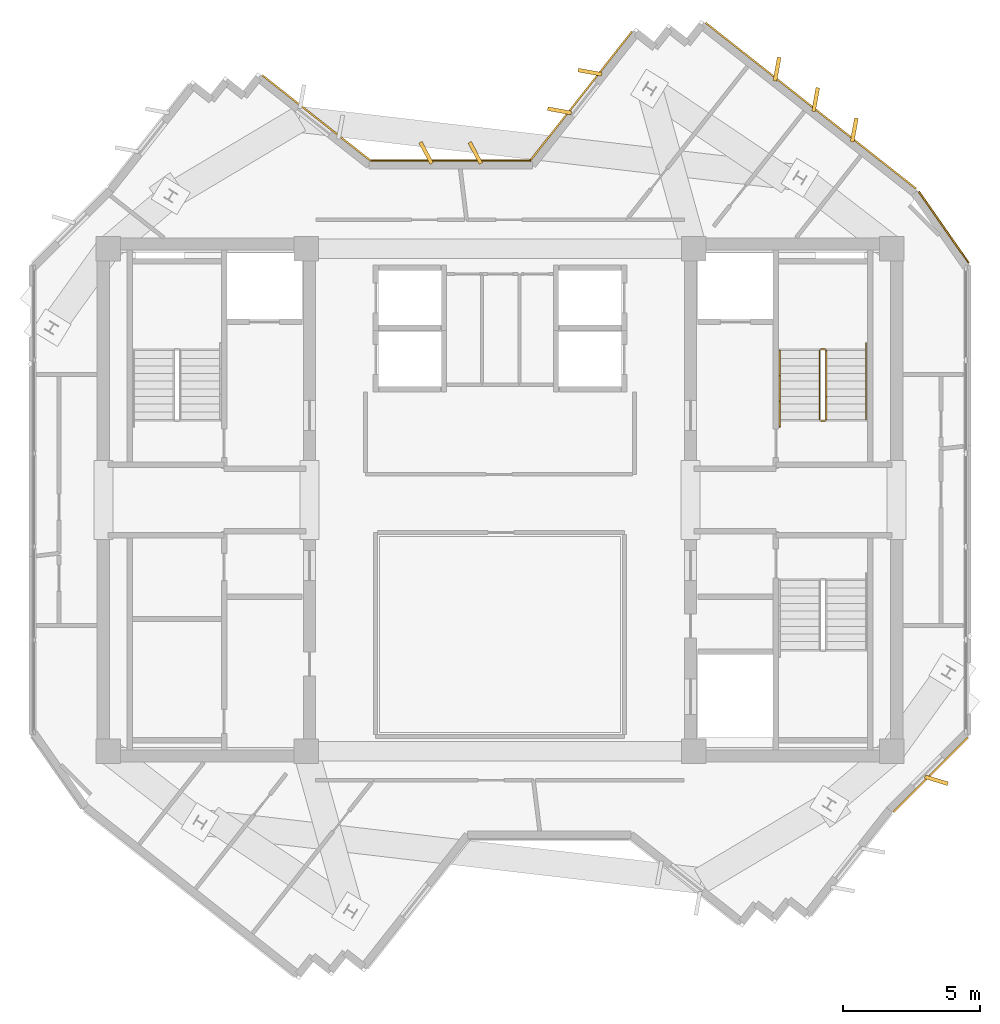
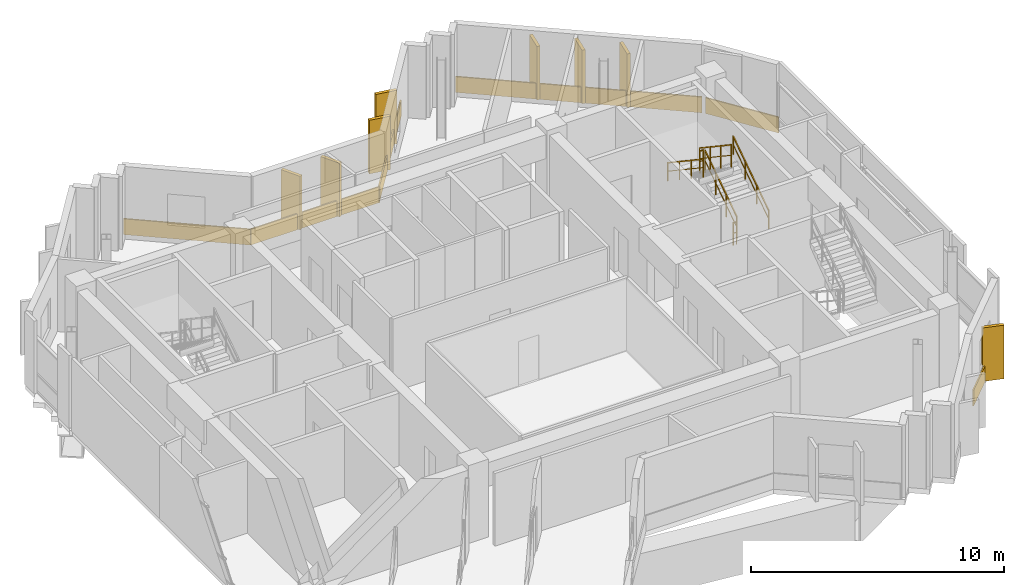
# One storey, part 10 of 10: 14 coverings, 6 railings.
"""IFC4 building model written with IfcOpenShell, lengths in metres."""

from ifc_helpers import new_model, si_unit, direction, frame, origin, origin_2d, place, context, subcontext, project, spatial, rectangle, extrude, source, transform, mapped, material, layer, layer_set, type_object, element, save


model = new_model("IFC4")

# Units and contexts
model_context = context("Model", 3, precision=1e-05, world=origin(), true_north=direction((0.0, 1.0)))
body_context = subcontext(model_context, "Body", "Model", "MODEL_VIEW")
ifc_project = project(units=[si_unit("LENGTHUNIT", "METRE"), si_unit("AREAUNIT", "SQUARE_METRE"), si_unit("VOLUMEUNIT", "CUBIC_METRE"), si_unit("PLANEANGLEUNIT", "RADIAN"), si_unit("MASSUNIT", "GRAM", prefix="KILO")], contexts=[model_context])

# Site, building, storey
site_placement = place(None, origin())
site = spatial("IfcSite", under=ifc_project, at=site_placement, CompositionType="ELEMENT")
building_placement = place(site_placement, origin())
building = spatial("IfcBuilding", under=site, at=building_placement, Name="Zahravan Cultural Tower", CompositionType="ELEMENT")
storey_placement = place(building_placement, frame((0.0, 0.0, 319.800048828125)))
storey = spatial("IfcBuildingStorey", under=building, at=storey_placement, Name="L77", CompositionType="ELEMENT", Elevation=319.800048828125)

# Railings
ifc_material_1 = material(Name="Steel ASTM A572 Grade 50", Category="steel")
railing_type_1 = type_object("IfcRailingType", Name="RL-STAIR-GRD1150", PredefinedType="BALUSTRADE", material=ifc_material_1)
railing_1_placement = place(storey_placement, frame((47.949951171875, 29.949951171875, 0.1875)))
element("IfcRailing", 1, at=railing_1_placement, inside=storey, type_object=railing_type_1, Name="L77 ST-E1 stair guard 1", PredefinedType="BALUSTRADE", context=body_context, shape_type="SweptSolid", body=[
    extrude(rectangle(XDim=0.05, YDim=0.05, at=origin_2d()), frame((0.0, 0.0, 1.0751953125), z_axis=(0.0, 0.830909170722, 0.55640807867), x_axis=(-1.0, 0.0, 0.0)), (0.0, 0.0, 1.0), 3.032958984375),
    extrude(rectangle(XDim=0.032, YDim=0.032, at=origin_2d()), frame((0.0, 0.0, 0.572021484375), z_axis=(0.0, 0.830909170722, 0.55640807867), x_axis=(-1.0, 0.0, 0.0)), (0.0, 0.0, 1.0), 3.032958984375),
    extrude(rectangle(XDim=0.04, YDim=0.04, at=origin_2d()), origin(), (0.0, 0.0, 1.0), 1.10009765625),
    extrude(rectangle(XDim=0.04, YDim=0.04, at=origin_2d()), frame((0.0, 0.840087890625, 0.5625)), (0.0, 0.0, 1.0), 1.10009765625),
    extrude(rectangle(XDim=0.04, YDim=0.04, at=origin_2d()), frame((0.0, 1.679931640625, 1.125)), (0.0, 0.0, 1.0), 1.10009765625),
    extrude(rectangle(XDim=0.04, YDim=0.04, at=origin_2d()), frame((0.0, 2.52001953125, 1.6875)), (0.0, 0.0, 1.0), 1.10009765625),
])
railing_2_placement = place(storey_placement, frame((47.89990234375, 32.52001953125, 1.875)))
element("IfcRailing", 2, at=railing_2_placement, inside=storey, type_object=railing_type_1, Name="L77 ST-E1 stair guard 2", PredefinedType="BALUSTRADE", context=body_context, shape_type="SweptSolid", body=[
    extrude(rectangle(XDim=0.05, YDim=0.05, at=origin_2d()), frame((0.0, 0.0, 1.0751953125), z_axis=(-1.0, 0.0, 0.0), x_axis=(0.0, -1.0, 0.0)), (0.0, 0.0, 1.0), 0.14990234375),
    extrude(rectangle(XDim=0.032, YDim=0.032, at=origin_2d()), frame((0.0, 0.0, 0.572021484375), z_axis=(-1.0, 0.0, 0.0), x_axis=(0.0, -1.0, 0.0)), (0.0, 0.0, 1.0), 0.14990234375),
    extrude(rectangle(XDim=0.04, YDim=0.04, at=origin_2d()), origin(), (0.0, 0.0, 1.0), 1.10009765625),
    extrude(rectangle(XDim=0.04, YDim=0.04, at=origin_2d()), frame((-0.14990234375, 0.0, 0.0)), (0.0, 0.0, 1.0), 1.10009765625),
])
railing_3_placement = place(storey_placement, frame((47.699951171875, 32.469970703125, 2.0625)))
element("IfcRailing", 3, at=railing_3_placement, inside=storey, type_object=railing_type_1, Name="L77 ST-E1 stair guard 3", PredefinedType="BALUSTRADE", context=body_context, shape_type="SweptSolid", body=[
    extrude(rectangle(XDim=0.05, YDim=0.05, at=origin_2d()), frame((0.0, 0.0, 1.0751953125), z_axis=(0.0, -0.830909170722, 0.55640807867), x_axis=(1.0, 0.0, 0.0)), (0.0, 0.0, 1.0), 3.032958984375),
    extrude(rectangle(XDim=0.032, YDim=0.032, at=origin_2d()), frame((0.0, 0.0, 0.572021484375), z_axis=(0.0, -0.830909170722, 0.55640807867), x_axis=(1.0, 0.0, 0.0)), (0.0, 0.0, 1.0), 3.032958984375),
    extrude(rectangle(XDim=0.04, YDim=0.04, at=origin_2d()), origin(), (0.0, 0.0, 1.0), 1.10009765625),
    extrude(rectangle(XDim=0.04, YDim=0.04, at=origin_2d()), frame((0.0, -0.840087890625, 0.5625)), (0.0, 0.0, 1.0), 1.10009765625),
    extrude(rectangle(XDim=0.04, YDim=0.04, at=origin_2d()), frame((0.0, -1.679931640625, 1.125)), (0.0, 0.0, 1.0), 1.10009765625),
    extrude(rectangle(XDim=0.04, YDim=0.04, at=origin_2d()), frame((0.0, -2.52001953125, 1.6875)), (0.0, 0.0, 1.0), 1.10009765625),
])
railing_4_placement = place(storey_placement, frame((47.89990234375, 29.89990234375, 0.0)))
element("IfcRailing", 4, at=railing_4_placement, inside=storey, type_object=railing_type_1, Name="L77 ST-E1 stair guard 4", PredefinedType="BALUSTRADE", context=body_context, shape_type="SweptSolid", body=[
    extrude(rectangle(XDim=0.05, YDim=0.05, at=origin_2d()), frame((0.0, 0.0, 1.0751953125), z_axis=(-1.0, 0.0, 0.0), x_axis=(0.0, -1.0, 0.0)), (0.0, 0.0, 1.0), 0.14990234375),
    extrude(rectangle(XDim=0.032, YDim=0.032, at=origin_2d()), frame((0.0, 0.0, 0.572021484375), z_axis=(-1.0, 0.0, 0.0), x_axis=(0.0, -1.0, 0.0)), (0.0, 0.0, 1.0), 0.14990234375),
    extrude(rectangle(XDim=0.04, YDim=0.04, at=origin_2d()), origin(), (0.0, 0.0, 1.0), 1.10009765625),
    extrude(rectangle(XDim=0.04, YDim=0.04, at=origin_2d()), frame((-0.14990234375, 0.0, 0.0)), (0.0, 0.0, 1.0), 1.10009765625),
])
railing_type_2 = type_object("IfcRailingType", Name="RL-STAIR-HR900", PredefinedType="HANDRAIL", material=ifc_material_1)
railing_5_placement = place(storey_placement, frame((49.39990234375, 29.949951171875, 0.1875)))
element("IfcRailing", 5, at=railing_5_placement, inside=storey, type_object=railing_type_2, Name="L77 ST-E1 stair handrail 1", PredefinedType="HANDRAIL", context=body_context, shape_type="SweptSolid", body=[
    extrude(rectangle(XDim=0.05, YDim=0.05, at=origin_2d()), frame((0.0, 0.0, 0.875), z_axis=(0.0, 0.830911662861, 0.55640435703), x_axis=(-1.0, 0.0, 0.0)), (0.0, 0.0, 1.0), 3.369873046875),
    extrude(rectangle(XDim=0.032, YDim=0.032, at=origin_2d()), frame((0.0, 0.0, 0.468017578125), z_axis=(0.0, 0.830911662861, 0.55640435703), x_axis=(-1.0, 0.0, 0.0)), (0.0, 0.0, 1.0), 3.369873046875),
    extrude(rectangle(XDim=0.04, YDim=0.04, at=origin_2d()), origin(), (0.0, 0.0, 1.0), 0.89990234375),
    extrude(rectangle(XDim=0.04, YDim=0.04, at=origin_2d()), frame((0.0, 0.933349609375, 0.625)), (0.0, 0.0, 1.0), 0.89990234375),
    extrude(rectangle(XDim=0.04, YDim=0.04, at=origin_2d()), frame((0.0, 1.86669921875, 1.25)), (0.0, 0.0, 1.0), 0.89990234375),
    extrude(rectangle(XDim=0.04, YDim=0.04, at=origin_2d()), frame((0.0, 2.800048828125, 1.875)), (0.0, 0.0, 1.0), 0.89990234375),
])
railing_6_placement = place(storey_placement, frame((46.25, 32.469970703125, 2.0625)))
element("IfcRailing", 6, at=railing_6_placement, inside=storey, type_object=railing_type_2, Name="L77 ST-E1 stair handrail 2", PredefinedType="HANDRAIL", context=body_context, shape_type="SweptSolid", body=[
    extrude(rectangle(XDim=0.05, YDim=0.05, at=origin_2d()), frame((0.0, 0.0, 0.875), z_axis=(0.0, -0.830911662861, 0.55640435703), x_axis=(1.0, 0.0, 0.0)), (0.0, 0.0, 1.0), 3.369873046875),
    extrude(rectangle(XDim=0.032, YDim=0.032, at=origin_2d()), frame((0.0, 0.0, 0.468017578125), z_axis=(0.0, -0.830911662861, 0.55640435703), x_axis=(1.0, 0.0, 0.0)), (0.0, 0.0, 1.0), 3.369873046875),
    extrude(rectangle(XDim=0.04, YDim=0.04, at=origin_2d()), origin(), (0.0, 0.0, 1.0), 0.89990234375),
    extrude(rectangle(XDim=0.04, YDim=0.04, at=origin_2d()), frame((0.0, -0.933349609375, 0.625)), (0.0, 0.0, 1.0), 0.89990234375),
    extrude(rectangle(XDim=0.04, YDim=0.04, at=origin_2d()), frame((0.0, -1.86669921875, 1.25)), (0.0, 0.0, 1.0), 0.89990234375),
    extrude(rectangle(XDim=0.04, YDim=0.04, at=origin_2d()), frame((0.0, -2.800048828125, 1.875)), (0.0, 0.0, 1.0), 0.89990234375),
])

# Coverings
ifc_material_2 = material(Name="Terracotta ceramic cladding", Category="masonry")
ifc_layer = layer(ifc_material_2, 0.06005859375)
ifc_layer_set = layer_set([ifc_layer], Name="Terracotta ceramic cladding")
covering_type = type_object("IfcCoveringType", Name="COV-CLAD-TC60", PredefinedType="CLADDING", material=ifc_layer_set)
shared_shape_1 = source(origin(), body_context, "Body", "SweptSolid", [
    extrude(rectangle(XDim=9.820068359375, YDim=0.06005859375, at=origin_2d()), origin(), (0.0, 0.0, 1.0), 0.760009765625),
])
covering_1_placement = place(storey_placement, frame((47.382080078125, 41.43798828125, 0.02001953125), z_axis=(0.0, 0.0, 1.0), x_axis=(0.785316930881, -0.61909394931, 0.0)))
element("IfcCovering", 7, at=covering_1_placement, inside=storey, type_object=covering_type, Name="L77 Terracotta Spandrel Cladding 14", PredefinedType="CLADDING", context=body_context, shape_type="MappedRepresentation", body=[
    mapped(shared_shape_1, transform((0.0, 0.0, 0.0), x_axis=(1.0, 0.0, 0.0), y_axis=(0.0, 1.0, 0.0), z_axis=(0.0, 0.0, 1.0), scale=1.0)),
])
shared_shape_2 = source(origin(), body_context, "Body", "SweptSolid", [
    extrude(rectangle(XDim=0.8798828125, YDim=0.139892578125, at=origin_2d()), origin(), (0.0, 0.0, 1.0), 2.580078125),
])
for number, where, z_axis, x_axis, name in (
    (8, (33.295166015625, 39.7099609375, 0.0498046875), (0.0, 0.0, 1.0), (-0.469471562786, 0.882947592859, 0.0), "L77 Herringbone Terracotta Fin 06"),
    (9, (35.09521484375, 39.7099609375, 0.0498046875), (0.0, 0.0, 1.0), (-0.469471562786, 0.882947592859, 0.0), "L77 Herringbone Terracotta Fin 07"),
    (10, (38.180419921875, 41.25, 0.0498046875), (0.0, 0.0, 1.0), (-0.984040697646, 0.177943545474, 0.0), "L77 Herringbone Terracotta Fin 08"),
    (11, (39.294677734375, 42.663818359375, 0.0498046875), (0.0, 0.0, 1.0), (-0.984040697646, 0.177943545474, 0.0), "L77 Herringbone Terracotta Fin 09"),
    (12, (46.14501953125, 42.776123046875, 0.0498046875), (0.0, 0.0, 1.0), (0.177943545474, 0.984040697646, 0.0), "L77 Herringbone Terracotta Fin 10"),
    (13, (47.55859375, 41.661865234375, 0.0498046875), (0.0, 0.0, 1.0), (0.177943545474, 0.984040697646, 0.0), "L77 Herringbone Terracotta Fin 11"),
    (14, (48.97216796875, 40.547607421875, 0.0498046875), (0.0, 0.0, 1.0), (0.177943545474, 0.984040697646, 0.0), "L77 Herringbone Terracotta Fin 12"),
    (15, (51.976806640625, 16.738525390625, 0.0498046875), (0.0, 0.0, 1.0), (0.956304755963, -0.292371704723, 0.0), "L77 Herringbone Terracotta Fin 13"),
):
    element("IfcCovering", number, at=place(storey_placement, frame(where, z_axis=z_axis, x_axis=x_axis)), inside=storey, type_object=covering_type, Name=name, PredefinedType="CLADDING", context=body_context, shape_type="MappedRepresentation", body=[
        mapped(shared_shape_2, transform((0.0, 0.0, 0.0), x_axis=(1.0, 0.0, 0.0), y_axis=(0.0, 1.0, 0.0), z_axis=(0.0, 0.0, 1.0), scale=1.0)),
    ])
shared_shape_3 = source(origin(), body_context, "Body", "SweptSolid", [
    extrude(rectangle(XDim=3.86328125, YDim=0.06005859375, at=origin_2d()), origin(), (0.0, 0.0, 1.0), 0.760009765625),
])
covering_2_placement = place(storey_placement, frame((51.775390625, 16.940185546875, 0.02001953125), z_axis=(0.0, 0.0, 1.0), x_axis=(-0.707106781187, -0.707106781187, 0.0)))
element("IfcCovering", 16, at=covering_2_placement, inside=storey, type_object=covering_type, Name="L77 Terracotta Spandrel Cladding 16", PredefinedType="CLADDING", context=body_context, shape_type="MappedRepresentation", body=[
    mapped(shared_shape_3, transform((0.0, 0.0, 0.0), x_axis=(1.0, 0.0, 0.0), y_axis=(0.0, 1.0, 0.0), z_axis=(0.0, 0.0, 1.0), scale=1.0)),
])
shared_shape_4 = source(origin(), body_context, "Body", "SweptSolid", [
    extrude(rectangle(XDim=5.065185546875, YDim=0.06005859375, at=origin_2d()), origin(), (0.0, 0.0, 1.0), 0.760009765625),
])
covering_3_placement = place(storey_placement, frame((29.280029296875, 40.98828125, 0.02001953125), z_axis=(0.0, 0.0, 1.0), x_axis=(0.785316930881, -0.61909394931, 0.0)))
element("IfcCovering", 17, at=covering_3_placement, inside=storey, type_object=covering_type, Name="L77 Terracotta Spandrel Cladding 07", PredefinedType="CLADDING", context=body_context, shape_type="MappedRepresentation", body=[
    mapped(shared_shape_4, transform((0.0, 0.0, 0.0), x_axis=(1.0, 0.0, 0.0), y_axis=(0.0, 1.0, 0.0), z_axis=(0.0, 0.0, 1.0), scale=1.0)),
])
shared_shape_5 = source(origin(), body_context, "Body", "SweptSolid", [
    extrude(rectangle(XDim=5.87841796875, YDim=0.06005859375, at=origin_2d()), origin(), (0.0, 0.0, 1.0), 0.760009765625),
])
covering_4_placement = place(storey_placement, frame((34.1953125, 39.425048828125, 0.02001953125), z_axis=(0.0, 0.0, 1.0), x_axis=(1.0, 0.0, 0.0)))
element("IfcCovering", 18, at=covering_4_placement, inside=storey, type_object=covering_type, Name="L77 Terracotta Spandrel Cladding 08", PredefinedType="CLADDING", context=body_context, shape_type="MappedRepresentation", body=[
    mapped(shared_shape_5, transform((0.0, 0.0, 0.0), x_axis=(1.0, 0.0, 0.0), y_axis=(0.0, 1.0, 0.0), z_axis=(0.0, 0.0, 1.0), scale=1.0)),
])
shared_shape_6 = source(origin(), body_context, "Body", "SweptSolid", [
    extrude(rectangle(XDim=6.058837890625, YDim=0.06005859375, at=origin_2d()), origin(), (0.0, 0.0, 1.0), 0.760009765625),
])
covering_5_placement = place(storey_placement, frame((38.961181640625, 41.780517578125, 0.02001953125), z_axis=(0.0, 0.0, 1.0), x_axis=(0.61909394931, 0.785316930881, 0.0)))
element("IfcCovering", 19, at=covering_5_placement, inside=storey, type_object=covering_type, Name="L77 Terracotta Spandrel Cladding 09", PredefinedType="CLADDING", context=body_context, shape_type="MappedRepresentation", body=[
    mapped(shared_shape_6, transform((0.0, 0.0, 0.0), x_axis=(1.0, 0.0, 0.0), y_axis=(0.0, 1.0, 0.0), z_axis=(0.0, 0.0, 1.0), scale=1.0)),
])
shared_shape_7 = source(origin(), body_context, "Body", "SweptSolid", [
    extrude(rectangle(XDim=3.189208984375, YDim=0.06005859375, at=origin_2d()), origin(), (0.0, 0.0, 1.0), 0.760009765625),
])
covering_6_placement = place(storey_placement, frame((52.252685546875, 36.984375, 0.02001953125), z_axis=(0.0, 0.0, 1.0), x_axis=(0.573033028033, -0.8195322744, 0.0)))
element("IfcCovering", 20, at=covering_6_placement, inside=storey, type_object=covering_type, Name="L77 Terracotta Spandrel Cladding 15", PredefinedType="CLADDING", context=body_context, shape_type="MappedRepresentation", body=[
    mapped(shared_shape_7, transform((0.0, 0.0, 0.0), x_axis=(1.0, 0.0, 0.0), y_axis=(0.0, 1.0, 0.0), z_axis=(0.0, 0.0, 1.0), scale=1.0)),
])

save(model, "model.ifc")
